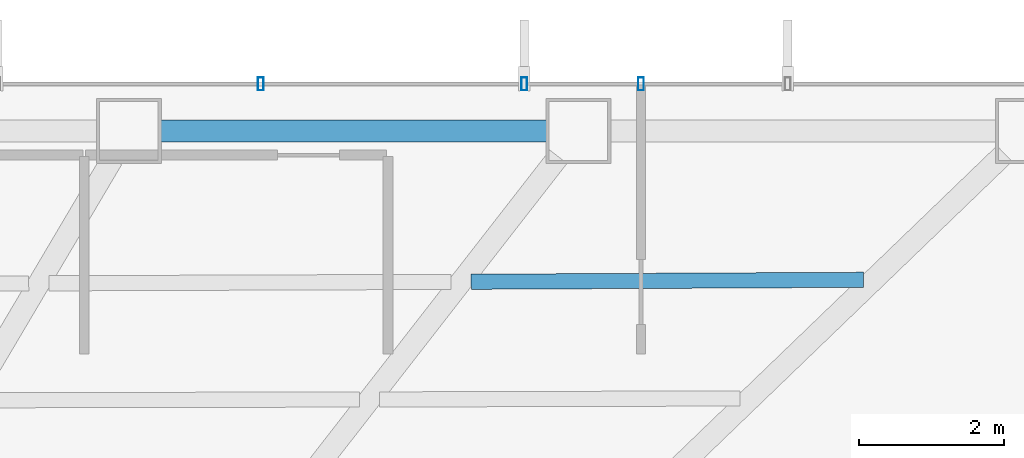
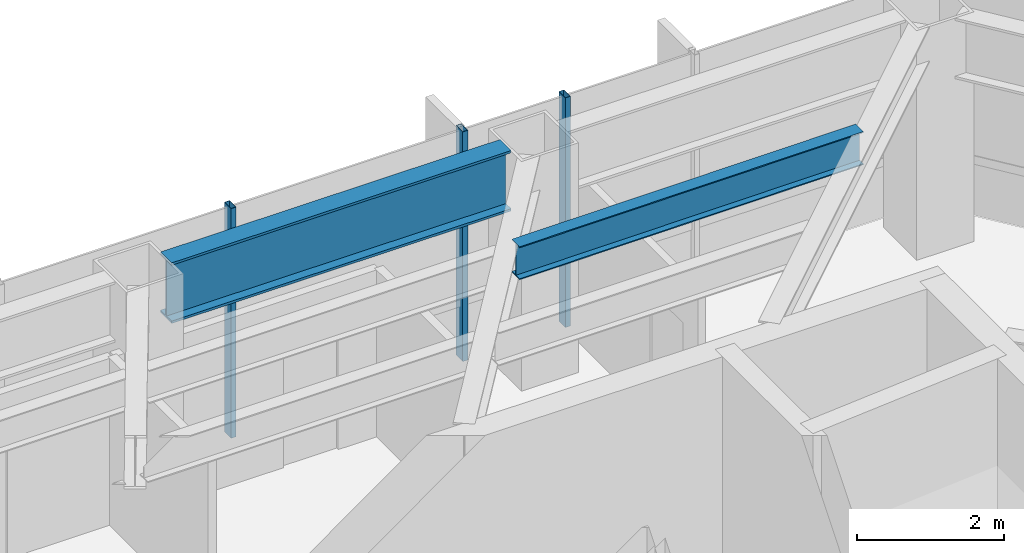
# One storey, part 13 of 24: 3 members, 2 beams, 1 element without a shape of its own.
"""IFC4 building model written with IfcOpenShell, lengths in metres."""

import ifcopenshell
import ifcopenshell.guid

model = None  # the IFC model being written
_history = None  # IfcOwnerHistory: only IFC2X3 demands one
_inside = {}  # id of a spatial element -> (the spatial element, [elements in it])
_under = {}  # id of a project, library or spatial element -> (it, [spatial elements below it])
_declared = {}  # id of a project -> (the project, [libraries it declares])
_typed = {}  # id of a type object -> (the type object, [elements of that type])
_made_of = {}  # id of a material, layer set ... -> (it, [elements and type objects made of it])


def new_model(schema):
    """Start an empty IFC model of exactly this schema.

    Asked for "IFC4X3", IfcOpenShell would pick the latest addendum, in which some entities
    have other attributes; the version numbers below select the first issue.
    IFC2X3 requires an IfcOwnerHistory on every rooted entity: one is made here for all.
    """
    global model, _history
    if schema == "IFC4X3":
        model = ifcopenshell.file(schema_version=(4, 3, 0, 0))
    else:
        model = ifcopenshell.file(schema=schema)
    _inside.clear()
    _under.clear()
    _declared.clear()
    _typed.clear()
    _made_of.clear()
    _history = None
    if model.schema == "IFC2X3":
        org = make("IfcOrganization", Name="unknown")
        user = make(
            "IfcPersonAndOrganization",
            ThePerson=make("IfcPerson", FamilyName="unknown"),
            TheOrganization=org,
        )
        app = make(
            "IfcApplication",
            ApplicationDeveloper=org,
            Version="unknown",
            ApplicationFullName="unknown",
            ApplicationIdentifier="unknown",
        )
        _history = make(
            "IfcOwnerHistory",
            OwningUser=user,
            OwningApplication=app,
            ChangeAction="ADDED",
            CreationDate=0,
        )
    return model


def make(cls, **values):
    """One entity of the class cls with the attributes given. An attribute that is None is left unset."""
    return model.create_entity(
        cls, **{name: value for name, value in values.items() if value is not None}
    )


def rooted(cls, **values):
    """An entity with a GlobalId (a new one), such as an element, a storey or a relation."""
    return make(cls, GlobalId=ifcopenshell.guid.new(), OwnerHistory=_history, **values)


def si_unit(unit_type, name, prefix=None):
    """IfcSIUnit, for example si_unit("LENGTHUNIT", "METRE", prefix="MILLI")."""
    return make("IfcSIUnit", UnitType=unit_type, Prefix=prefix, Name=name)


def assignment(units):
    """IfcUnitAssignment: the units of a project."""
    return None if units is None else make("IfcUnitAssignment", Units=units)


def point(xyz):
    """IfcCartesianPoint."""
    return None if xyz is None else make("IfcCartesianPoint", Coordinates=xyz)


def direction(xyz):
    """IfcDirection."""
    return None if xyz is None else make("IfcDirection", DirectionRatios=xyz)


def frame(location, z_axis=None, x_axis=None):
    """IfcAxis2Placement3D, a coordinate frame: its origin and axes. An axis left out is left unset."""
    return make(
        "IfcAxis2Placement3D",
        Location=point(location),
        Axis=direction(z_axis),
        RefDirection=direction(x_axis),
    )


def frame_2d(location, x_axis=None):
    """IfcAxis2Placement2D, a coordinate frame in the plane: its origin and x axis."""
    return make(
        "IfcAxis2Placement2D", Location=point(location), RefDirection=direction(x_axis)
    )


def origin():
    """The frame at (0, 0, 0) with its axes left unset."""
    return frame((0.0, 0.0, 0.0))


def origin_2d():
    """The frame at (0, 0) in the plane with its x axis left unset."""
    return frame_2d((0.0, 0.0))


def place(relative_to, where):
    """IfcLocalPlacement: puts the frame where relative to a parent placement (None: the world)."""
    return make(
        "IfcLocalPlacement", PlacementRelTo=relative_to, RelativePlacement=where
    )


def context(
    kind, dimensions, precision=None, world=None, true_north=None, identifier=None
):
    """IfcGeometricRepresentationContext, for example the 3D "Model" context."""
    return make(
        "IfcGeometricRepresentationContext",
        ContextIdentifier=identifier,
        ContextType=kind,
        CoordinateSpaceDimension=dimensions,
        Precision=precision,
        WorldCoordinateSystem=world,
        TrueNorth=true_north,
    )


def subcontext(parent, identifier, kind, view, scale=None):
    """IfcGeometricRepresentationSubContext, for example "Body" below "Model"."""
    return make(
        "IfcGeometricRepresentationSubContext",
        ContextIdentifier=identifier,
        ContextType=kind,
        ParentContext=parent,
        TargetScale=scale,
        TargetView=view,
    )


def project(units=None, contexts=None):
    """IfcProject with its units and contexts."""
    return rooted(
        "IfcProject",
        Name="project",
        RepresentationContexts=contexts,
        UnitsInContext=assignment(units),
    )


def spatial(cls, under=None, at=None, **own):
    """A site, building, storey or space (cls), placed at a placement, below another one or the project."""
    s = rooted(cls, ObjectPlacement=at, **own)
    if under is not None:
        _under.setdefault(under.id(), (under, []))[1].append(s)
    return s


def profile(cls, at=None, kind="AREA", **sizes):
    """A parametric profile (cls). Its sizes go by their IFC names, for example OverallWidth=200.0."""
    return make(cls, ProfileType=kind, Position=at, **sizes)


def hollow_rectangle(**sizes):
    """IfcRectangleHollowProfileDef."""
    return profile("IfcRectangleHollowProfileDef", **sizes)


def i_section(**sizes):
    """IfcIShapeProfileDef."""
    return profile("IfcIShapeProfileDef", **sizes)


def extrude(swept, where, along, depth):
    """IfcExtrudedAreaSolid: the profile swept, set in the frame where, extruded along a direction by depth."""
    return make(
        "IfcExtrudedAreaSolid",
        SweptArea=swept,
        Position=where,
        ExtrudedDirection=direction(along),
        Depth=depth,
    )


def shape(context_of_items, identifier, shape_type, items):
    """IfcShapeRepresentation: the items that make up one representation, for example the "Body"."""
    return make(
        "IfcShapeRepresentation",
        ContextOfItems=context_of_items,
        RepresentationIdentifier=identifier,
        RepresentationType=shape_type,
        Items=items,
    )


def material(Name=None, Category=None):
    """IfcMaterial."""
    return make("IfcMaterial", Name=Name, Category=Category)


def layer(
    of_material, thickness, ventilated=None, Name=None, Category=None, Priority=None
):
    """IfcMaterialLayer: one layer of a wall or slab, of a material (None: an air gap)."""
    return make(
        "IfcMaterialLayer",
        Material=of_material,
        LayerThickness=thickness,
        IsVentilated=ventilated,
        Name=Name,
        Category=Category,
        Priority=Priority,
    )


def layer_set(layers, Name=None):
    """IfcMaterialLayerSet."""
    return make("IfcMaterialLayerSet", MaterialLayers=layers, LayerSetName=Name)


def material_profile(
    of_material, cross_section, Name=None, Category=None, Priority=None
):
    """IfcMaterialProfile: a cross section and its material."""
    return make(
        "IfcMaterialProfile",
        Name=Name,
        Material=of_material,
        Profile=cross_section,
        Priority=Priority,
        Category=Category,
    )


def profile_set(profiles, Name=None, composite=None):
    """IfcMaterialProfileSet."""
    return make(
        "IfcMaterialProfileSet",
        Name=Name,
        MaterialProfiles=profiles,
        CompositeProfile=composite,
    )


def made_of(thing, what):
    """Note that an element or type object is made of a material, layer set ...; save() writes the relation."""
    if what is not None:
        _made_of.setdefault(what.id(), (what, []))[1].append(thing)
    return thing


def type_object(cls, material=None, **own):
    """A type object (cls), such as IfcWallType, which elements share."""
    return made_of(rooted(cls, **own), material)


def element(
    cls,
    number,
    at=None,
    inside=None,
    cuts=None,
    type_object=None,
    material=None,
    context=None,
    identifier="Body",
    shape_type=None,
    held_by="IfcProductDefinitionShape",
    body=None,
    shapes=None,
    **own,
):
    """One element of the class cls, such as IfcWall. Its Tag is "e" and its number.

    at: its placement. inside: the storey or other place that contains it. cuts: it is an
    opening in that element (IfcRelVoidsElement). A single representation is given by context,
    identifier, shape_type and body (its items); several are given by shapes. held_by: the class
    of the entity that holds the representations. save() writes the other relations.
    """
    e = rooted(cls, Tag="e%d" % number, ObjectPlacement=at, **own)
    if body is not None:
        shapes = [shape(context, identifier, shape_type, body)]
    if shapes is not None:
        e.Representation = make(held_by, Representations=shapes)
    if inside is not None:
        _inside.setdefault(inside.id(), (inside, []))[1].append(e)
    if cuts is not None:
        rooted(
            "IfcRelVoidsElement", RelatingBuildingElement=cuts, RelatedOpeningElement=e
        )
    if type_object is not None:
        _typed.setdefault(type_object.id(), (type_object, []))[1].append(e)
    return made_of(e, material)


def aggregate(whole, parts):
    """IfcRelAggregates: a whole, such as a stair, and the parts it consists of."""
    return rooted("IfcRelAggregates", RelatingObject=whole, RelatedObjects=parts)


def save(model, path):
    """Write the relations noted so far, then the file.

    IfcRelAggregates (storeys below a building ...), IfcRelContainedInSpatialStructure (elements
    in a storey), IfcRelDefinesByType, IfcRelAssociatesMaterial and IfcRelDeclares: one each for
    every whole, place, type object, material and project.
    """
    for whole, parts in _under.values():
        aggregate(whole, parts)
    for where, things in _inside.values():
        rooted(
            "IfcRelContainedInSpatialStructure",
            RelatedElements=things,
            RelatingStructure=where,
        )
    for kind, things in _typed.values():
        rooted("IfcRelDefinesByType", RelatedObjects=things, RelatingType=kind)
    for what, things in _made_of.values():
        rooted("IfcRelAssociatesMaterial", RelatedObjects=things, RelatingMaterial=what)
    for by, libraries in _declared.values():
        rooted("IfcRelDeclares", RelatingContext=by, RelatedDefinitions=libraries)
    model.write(path)


model = new_model("IFC4")

# Units and contexts
model_context = context("Model", 3, precision=1e-05, world=origin(), true_north=direction((0.0, 1.0)))
body_context = subcontext(model_context, "Body", "Model", "MODEL_VIEW")
ifc_project = project(units=[si_unit("LENGTHUNIT", "METRE"), si_unit("AREAUNIT", "SQUARE_METRE"), si_unit("VOLUMEUNIT", "CUBIC_METRE"), si_unit("PLANEANGLEUNIT", "RADIAN"), si_unit("MASSUNIT", "GRAM", prefix="KILO")], contexts=[model_context])

# Site, building, storey
site_placement = place(None, origin())
site = spatial("IfcSite", under=ifc_project, at=site_placement, CompositionType="ELEMENT")
building_placement = place(site_placement, origin())
building = spatial("IfcBuilding", under=site, at=building_placement, Name="Zarrinselat Tower", CompositionType="ELEMENT")
storey_placement = place(building_placement, frame((0.0, 0.0, 76.5)))
storey = spatial("IfcBuildingStorey", under=building, at=storey_placement, Name="L18", CompositionType="ELEMENT", Elevation=76.5)

# Beams
ifc_material_1 = material(Name="Steel S460M", Category="steel")
ifc_material_profile_1 = material_profile(ifc_material_1, i_section(OverallWidth=0.302001953125, OverallDepth=1.008056640625, WebThickness=0.02099609375, FlangeThickness=0.0400390625, at=origin_2d()), Name="HEM 1000")
ifc_profile_set_1 = profile_set([ifc_material_profile_1], Name="Steel S460M")
beam_type_1 = type_object("IfcBeamType", Name="BM-HEM1000", PredefinedType="BEAM", material=ifc_profile_set_1)
beam_1_placement = place(storey_placement, frame((39.455078125, 49.083251953125, 3.31591796875), z_axis=(1.0, 0.0, 0.0), x_axis=(0.0, 1.0, 0.0)))
element("IfcBeam", 1, at=beam_1_placement, inside=storey, type_object=beam_type_1, Name="L18 Perimeter Spandrel Girder SP02", PredefinedType="BEAM", context=body_context, shape_type="SweptSolid", body=[
    extrude(i_section(OverallWidth=0.302001953125, OverallDepth=1.008056640625, WebThickness=0.02099609375, FlangeThickness=0.0400390625, at=origin_2d()), origin(), (0.0, 0.0, 1.0), 5.342041015625),
])
ifc_material_2 = material(Name="Steel S355J2", Category="steel")
ifc_material_profile_2 = material_profile(ifc_material_2, i_section(OverallWidth=0.2099609375, OverallDepth=0.550048828125, WebThickness=0.010986328125, FlangeThickness=0.01708984375, at=origin_2d()), Name="IPE 550")
ifc_profile_set_2 = profile_set([ifc_material_profile_2], Name="Steel S355J2")
beam_type_2 = type_object("IfcBeamType", Name="BM-IPE550", PredefinedType="JOIST", material=ifc_profile_set_2)
beam_2_placement = place(storey_placement, frame((43.751953125, 46.997802734375, 3.544921875), z_axis=(0.999987520479, 0.004995886883, 0.0), x_axis=(-0.004995886883, 0.999987520479, 0.0)))
element("IfcBeam", 2, at=beam_2_placement, inside=storey, type_object=beam_type_2, Name="L18 Composite Floor Joist 7-1", PredefinedType="JOIST", context=body_context, shape_type="SweptSolid", body=[
    extrude(i_section(OverallWidth=0.2099609375, OverallDepth=0.550048828125, WebThickness=0.010986328125, FlangeThickness=0.01708984375, at=origin_2d()), origin(), (0.0, 0.0, 1.0), 5.42431640625),
])

# Curtain wall, members
ifc_material_3 = material(Name="Extruded Aluminium Alloy EN AW-6063 T6", Category="aluminium")
ifc_layer = layer(ifc_material_3, 0.18505859375)
ifc_layer_set = layer_set([ifc_layer], Name="Extruded Aluminium Alloy EN AW-6063 T6")
curtain_wall_type = type_object("IfcCurtainWallType", Name="CWS-OFF", PredefinedType="NOTDEFINED", material=ifc_layer_set)
curtain_wall_placement = place(storey_placement, origin())
curtain_wall = element("IfcCurtainWall", 3, at=curtain_wall_placement, inside=storey, type_object=curtain_wall_type, Name="L18 Unitised Curtain Wall CW-L18-E01", PredefinedType="NOTDEFINED")
ifc_material_4 = material(Name="Extruded Aluminium Alloy EN AW-6063 T6", Category="aluminium")
ifc_material_profile_3 = material_profile(ifc_material_4, hollow_rectangle(XDim=0.080078125, YDim=0.179931640625, WallThickness=0.0048828125, at=origin_2d()), Name="RHS 180x80x5")
ifc_profile_set_3 = profile_set([ifc_material_profile_3], Name="Extruded Aluminium Alloy EN AW-6063 T6")
member_type = type_object("IfcMemberType", Name="MEM-CW-MUL", PredefinedType="MULLION", material=ifc_profile_set_3)
member_1_placement = place(storey_placement, frame((46.10009765625, 49.7333984375, 0.0), z_axis=(0.0, 0.0, 1.0), x_axis=(-1.0, 0.0, 0.0)))
member_1 = element("IfcMember", 4, at=member_1_placement, type_object=member_type, Name="CW-L18-E01 Mullion 2", PredefinedType="MULLION", context=body_context, shape_type="SweptSolid", body=[
    extrude(hollow_rectangle(XDim=0.080078125, YDim=0.179931640625, WallThickness=0.0048828125, at=origin_2d()), origin(), (0.0, 0.0, 1.0), 3.820068359375),
])
member_2_placement = place(storey_placement, frame((44.4853515625, 49.7333984375, 0.0), z_axis=(0.0, 0.0, 1.0), x_axis=(-1.0, 0.0, 0.0)))
member_2 = element("IfcMember", 5, at=member_2_placement, type_object=member_type, Name="CW-L18-E01 Mullion 3", PredefinedType="MULLION", context=body_context, shape_type="SweptSolid", body=[
    extrude(hollow_rectangle(XDim=0.080078125, YDim=0.179931640625, WallThickness=0.0048828125, at=origin_2d()), origin(), (0.0, 0.0, 1.0), 3.820068359375),
])
member_3_placement = place(storey_placement, frame((40.83984375, 49.7333984375, 0.0), z_axis=(0.0, 0.0, 1.0), x_axis=(-1.0, 0.0, 0.0)))
member_3 = element("IfcMember", 6, at=member_3_placement, type_object=member_type, Name="CW-L18-E01 Mullion 4", PredefinedType="MULLION", context=body_context, shape_type="SweptSolid", body=[
    extrude(hollow_rectangle(XDim=0.080078125, YDim=0.179931640625, WallThickness=0.0048828125, at=origin_2d()), origin(), (0.0, 0.0, 1.0), 3.820068359375),
])
aggregate(curtain_wall, [member_1, member_2, member_3])

save(model, "model.ifc")
